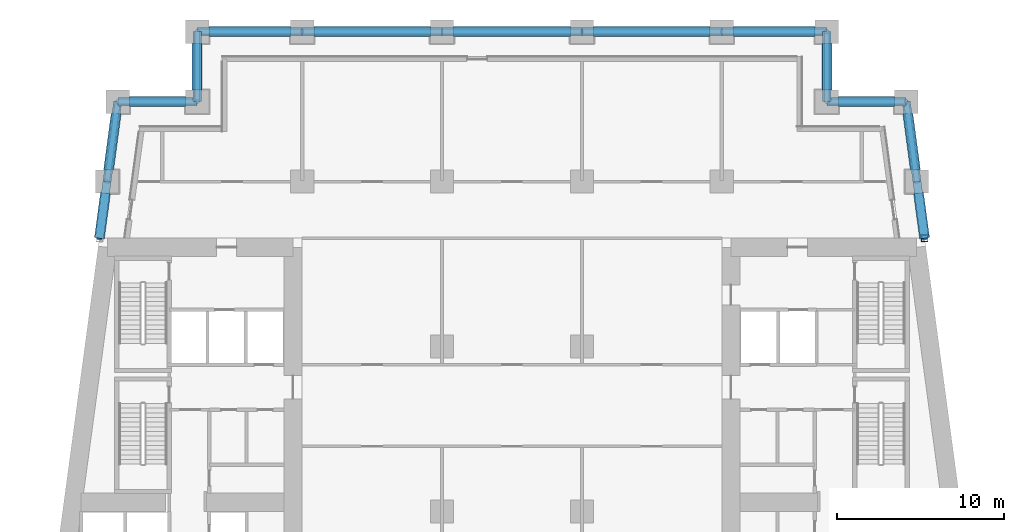
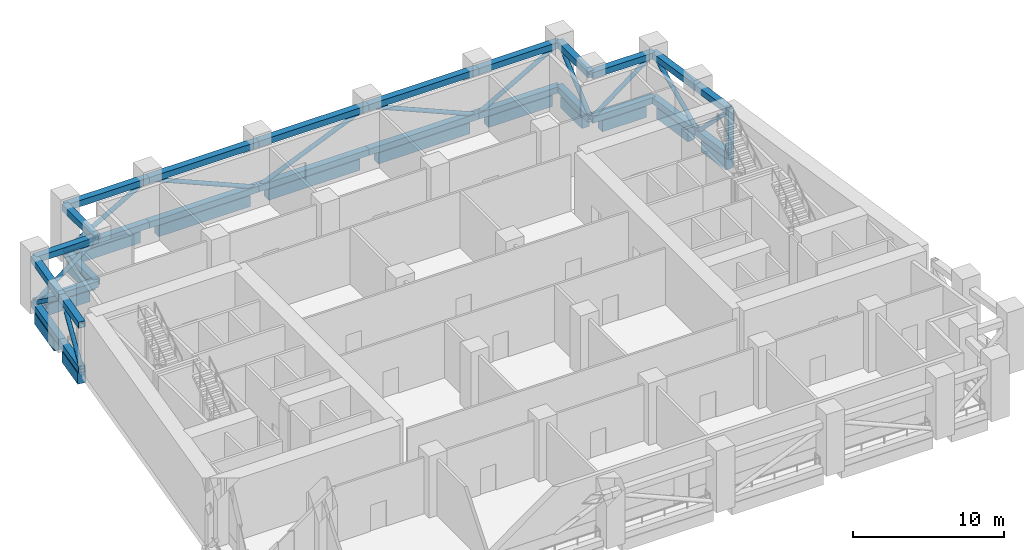
# One storey, part 3 of 12: 40 members, 13 beams.
"""IFC4 building model written with IfcOpenShell, lengths in metres."""

from ifc_helpers import new_model, si_unit, direction, frame, origin, origin_2d, place, context, subcontext, project, spatial, rectangle, hollow_rectangle, hollow_circle, extrude, material, material_profile, profile_set, type_object, element, save


model = new_model("IFC4")

# Units and contexts
model_context = context("Model", 3, precision=1e-05, world=origin(), true_north=direction((0.0, 1.0)))
body_context = subcontext(model_context, "Body", "Model", "MODEL_VIEW")
ifc_project = project(units=[si_unit("LENGTHUNIT", "METRE"), si_unit("AREAUNIT", "SQUARE_METRE"), si_unit("VOLUMEUNIT", "CUBIC_METRE"), si_unit("PLANEANGLEUNIT", "RADIAN"), si_unit("MASSUNIT", "GRAM", prefix="KILO")], contexts=[model_context])

# Site, building, storey
site_placement = place(None, origin())
site = spatial("IfcSite", under=ifc_project, at=site_placement, CompositionType="ELEMENT")
building_placement = place(site_placement, origin())
building = spatial("IfcBuilding", under=site, at=building_placement, Name="Candeia Pilgrim Tower and Theatre", CompositionType="ELEMENT")
storey_placement = place(building_placement, frame((0.0, 0.0, 81.0)))
storey = spatial("IfcBuildingStorey", under=building, at=storey_placement, Name="L18", CompositionType="ELEMENT", Elevation=81.0)

# Members
ifc_material_1 = material(Name="Structural steel ASTM A572 Grade 50", Category="steel")
ifc_material_profile_1 = material_profile(ifc_material_1, hollow_rectangle(XDim=0.39990234375, YDim=0.39990234375, WallThickness=0.02490234375, at=origin_2d()))
ifc_profile_set_1 = profile_set([ifc_material_profile_1], Name="Structural steel ASTM A572 Grade 50")
member_type_1 = type_object("IfcMemberType", Name="BOX 400x400x25 post", PredefinedType="POST", material=ifc_profile_set_1)
member_1_placement = place(storey_placement, frame((138.169189453125, 132.39990234375, 0.0), z_axis=(0.0, 0.0, 1.0), x_axis=(1.0, 0.0, 0.0)))
element("IfcMember", 1, at=member_1_placement, inside=storey, type_object=member_type_1, Name="Belt truss post TBL18", PredefinedType="POST", context=body_context, shape_type="SweptSolid", body=[
    extrude(hollow_rectangle(XDim=0.39990234375, YDim=0.39990234375, WallThickness=0.02490234375, at=origin_2d()), origin(), (0.0, 0.0, 1.0), 4.10009765625),
])
ifc_material_profile_2 = material_profile(ifc_material_1, hollow_rectangle(XDim=0.5, YDim=0.5, WallThickness=0.031982421875, at=origin_2d()))
ifc_profile_set_2 = profile_set([ifc_material_profile_2], Name="Structural steel ASTM A572 Grade 50")
member_type_2 = type_object("IfcMemberType", Name="BOX 500x500x32 chord", PredefinedType="CHORD", material=ifc_profile_set_2)
for number, where, z_axis, x_axis, name in (
    (2, (138.169189453125, 132.39990234375, 0.25), (-0.133426797477, 0.991058671177, 0.0), (-0.991058671177, -0.133426797477, 0.0), "Belt truss bottom chord TBL18"),
    (3, (138.169189453125, 132.39990234375, 3.85009765625), (-0.133426797477, 0.991058671177, 0.0), (-0.991058671177, -0.133426797477, 0.0), "Belt truss top chord TBL18"),
):
    element("IfcMember", number, at=place(storey_placement, frame(where, z_axis=z_axis, x_axis=x_axis)), inside=storey, type_object=member_type_2, Name=name, PredefinedType="CHORD", context=body_context, shape_type="SweptSolid", body=[
        extrude(hollow_rectangle(XDim=0.5, YDim=0.5, WallThickness=0.031982421875, at=origin_2d()), origin(), (0.0, 0.0, 1.0), 3.430908203125),
    ])
for number, where, z_axis, x_axis, name in (
    (4, (137.71142578125, 135.800048828125, 0.25), (-0.133378687709, 0.991065147034, 0.0), (-0.991065147034, -0.133378687709, 0.0), "Belt truss bottom chord TBL18"),
    (5, (137.71142578125, 135.800048828125, 3.85009765625), (-0.133378687709, 0.991065147034, 0.0), (-0.991065147034, -0.133378687709, 0.0), "Belt truss top chord TBL18"),
):
    element("IfcMember", number, at=place(storey_placement, frame(where, z_axis=z_axis, x_axis=x_axis)), inside=storey, type_object=member_type_2, Name=name, PredefinedType="CHORD", context=body_context, shape_type="SweptSolid", body=[
        extrude(hollow_rectangle(XDim=0.5, YDim=0.5, WallThickness=0.031982421875, at=origin_2d()), origin(), (0.0, 0.0, 1.0), 4.84326171875),
    ])
for number, where, z_axis, x_axis, name in (
    (6, (137.0654296875, 140.60009765625, 0.25), (-1.0, 0.0, 0.0), (0.0, -1.0, 0.0), "Belt truss bottom chord TBL18"),
    (7, (137.0654296875, 140.60009765625, 3.85009765625), (-1.0, 0.0, 0.0), (0.0, -1.0, 0.0), "Belt truss top chord TBL18"),
):
    element("IfcMember", number, at=place(storey_placement, frame(where, z_axis=z_axis, x_axis=x_axis)), inside=storey, type_object=member_type_2, Name=name, PredefinedType="CHORD", context=body_context, shape_type="SweptSolid", body=[
        extrude(hollow_rectangle(XDim=0.5, YDim=0.5, WallThickness=0.031982421875, at=origin_2d()), origin(), (0.0, 0.0, 1.0), 4.765380859375),
    ])
for number, where, z_axis, x_axis, name in (
    (8, (132.300048828125, 140.60009765625, 0.25), (0.0, 1.0, 0.0), (-1.0, 0.0, 0.0), "Belt truss bottom chord TBL18"),
    (9, (132.300048828125, 140.60009765625, 3.85009765625), (0.0, 1.0, 0.0), (-1.0, 0.0, 0.0), "Belt truss top chord TBL18"),
):
    element("IfcMember", number, at=place(storey_placement, frame(where, z_axis=z_axis, x_axis=x_axis)), inside=storey, type_object=member_type_2, Name=name, PredefinedType="CHORD", context=body_context, shape_type="SweptSolid", body=[
        extrude(hollow_rectangle(XDim=0.5, YDim=0.5, WallThickness=0.031982421875, at=origin_2d()), origin(), (0.0, 0.0, 1.0), 4.199951171875),
    ])
for number, where, z_axis, x_axis, name in (
    (10, (132.300048828125, 144.800048828125, 0.25), (-1.0, 0.0, 0.0), (0.0, -1.0, 0.0), "Belt truss bottom chord TBL18"),
    (11, (132.300048828125, 144.800048828125, 3.85009765625), (-1.0, 0.0, 0.0), (0.0, -1.0, 0.0), "Belt truss top chord TBL18"),
):
    element("IfcMember", number, at=place(storey_placement, frame(where, z_axis=z_axis, x_axis=x_axis)), inside=storey, type_object=member_type_2, Name=name, PredefinedType="CHORD", context=body_context, shape_type="SweptSolid", body=[
        extrude(hollow_rectangle(XDim=0.5, YDim=0.5, WallThickness=0.031982421875, at=origin_2d()), origin(), (0.0, 0.0, 1.0), 6.300048828125),
    ])
for number, where, z_axis, x_axis, name in (
    (12, (126.0, 144.800048828125, 0.25), (-1.0, 0.0, 0.0), (0.0, -1.0, 0.0), "Belt truss bottom chord TBL18"),
    (13, (126.0, 144.800048828125, 3.85009765625), (-1.0, 0.0, 0.0), (0.0, -1.0, 0.0), "Belt truss top chord TBL18"),
):
    element("IfcMember", number, at=place(storey_placement, frame(where, z_axis=z_axis, x_axis=x_axis)), inside=storey, type_object=member_type_2, Name=name, PredefinedType="CHORD", context=body_context, shape_type="SweptSolid", body=[
        extrude(hollow_rectangle(XDim=0.5, YDim=0.5, WallThickness=0.031982421875, at=origin_2d()), origin(), (0.0, 0.0, 1.0), 8.39990234375),
    ])
for number, where, z_axis, x_axis, name in (
    (14, (117.60009765625, 144.800048828125, 0.25), (-1.0, 0.0, 0.0), (0.0, -1.0, 0.0), "Belt truss bottom chord TBL18"),
    (15, (117.60009765625, 144.800048828125, 3.85009765625), (-1.0, 0.0, 0.0), (0.0, -1.0, 0.0), "Belt truss top chord TBL18"),
):
    element("IfcMember", number, at=place(storey_placement, frame(where, z_axis=z_axis, x_axis=x_axis)), inside=storey, type_object=member_type_2, Name=name, PredefinedType="CHORD", context=body_context, shape_type="SweptSolid", body=[
        extrude(hollow_rectangle(XDim=0.5, YDim=0.5, WallThickness=0.031982421875, at=origin_2d()), origin(), (0.0, 0.0, 1.0), 8.400146484375),
    ])
for number, where, z_axis, x_axis, name in (
    (16, (109.199951171875, 144.800048828125, 0.25), (-1.0, 0.0, 0.0), (0.0, -1.0, 0.0), "Belt truss bottom chord TBL18"),
    (17, (109.199951171875, 144.800048828125, 3.85009765625), (-1.0, 0.0, 0.0), (0.0, -1.0, 0.0), "Belt truss top chord TBL18"),
):
    element("IfcMember", number, at=place(storey_placement, frame(where, z_axis=z_axis, x_axis=x_axis)), inside=storey, type_object=member_type_2, Name=name, PredefinedType="CHORD", context=body_context, shape_type="SweptSolid", body=[
        extrude(hollow_rectangle(XDim=0.5, YDim=0.5, WallThickness=0.031982421875, at=origin_2d()), origin(), (0.0, 0.0, 1.0), 8.39990234375),
    ])
for number, where, z_axis, x_axis, name in (
    (18, (100.800048828125, 144.800048828125, 0.25), (-1.0, 0.0, 0.0), (0.0, -1.0, 0.0), "Belt truss bottom chord TBL18"),
    (19, (100.800048828125, 144.800048828125, 3.85009765625), (-1.0, 0.0, 0.0), (0.0, -1.0, 0.0), "Belt truss top chord TBL18"),
):
    element("IfcMember", number, at=place(storey_placement, frame(where, z_axis=z_axis, x_axis=x_axis)), inside=storey, type_object=member_type_2, Name=name, PredefinedType="CHORD", context=body_context, shape_type="SweptSolid", body=[
        extrude(hollow_rectangle(XDim=0.5, YDim=0.5, WallThickness=0.031982421875, at=origin_2d()), origin(), (0.0, 0.0, 1.0), 6.300048828125),
    ])
for number, where, z_axis, x_axis, name in (
    (20, (94.5, 144.800048828125, 0.25), (0.0, -1.0, 0.0), (1.0, 0.0, 0.0), "Belt truss bottom chord TBL18"),
    (21, (94.5, 144.800048828125, 3.85009765625), (0.0, -1.0, 0.0), (1.0, 0.0, 0.0), "Belt truss top chord TBL18"),
):
    element("IfcMember", number, at=place(storey_placement, frame(where, z_axis=z_axis, x_axis=x_axis)), inside=storey, type_object=member_type_2, Name=name, PredefinedType="CHORD", context=body_context, shape_type="SweptSolid", body=[
        extrude(hollow_rectangle(XDim=0.5, YDim=0.5, WallThickness=0.031982421875, at=origin_2d()), origin(), (0.0, 0.0, 1.0), 4.199951171875),
    ])
for number, where, z_axis, x_axis, name in (
    (22, (94.5, 140.60009765625, 0.25), (-1.0, 0.0, 0.0), (0.0, -1.0, 0.0), "Belt truss bottom chord TBL18"),
    (23, (94.5, 140.60009765625, 3.85009765625), (-1.0, 0.0, 0.0), (0.0, -1.0, 0.0), "Belt truss top chord TBL18"),
):
    element("IfcMember", number, at=place(storey_placement, frame(where, z_axis=z_axis, x_axis=x_axis)), inside=storey, type_object=member_type_2, Name=name, PredefinedType="CHORD", context=body_context, shape_type="SweptSolid", body=[
        extrude(hollow_rectangle(XDim=0.5, YDim=0.5, WallThickness=0.031982421875, at=origin_2d()), origin(), (0.0, 0.0, 1.0), 4.765380859375),
    ])
for number, where, z_axis, x_axis, name in (
    (24, (89.734619140625, 140.60009765625, 0.25), (-0.133428198131, -0.991058482605, 0.0), (0.991058482605, -0.133428198131, 0.0), "Belt truss bottom chord TBL18"),
    (25, (89.734619140625, 140.60009765625, 3.85009765625), (-0.133428198131, -0.991058482605, 0.0), (0.991058482605, -0.133428198131, 0.0), "Belt truss top chord TBL18"),
):
    element("IfcMember", number, at=place(storey_placement, frame(where, z_axis=z_axis, x_axis=x_axis)), inside=storey, type_object=member_type_2, Name=name, PredefinedType="CHORD", context=body_context, shape_type="SweptSolid", body=[
        extrude(hollow_rectangle(XDim=0.5, YDim=0.5, WallThickness=0.031982421875, at=origin_2d()), origin(), (0.0, 0.0, 1.0), 4.84326171875),
    ])
for number, where, z_axis, x_axis, name in (
    (26, (89.08837890625, 135.800048828125, 0.25), (-0.133356902381, -0.991068078685, 0.0), (0.991068078685, -0.133356902381, 0.0), "Belt truss bottom chord TBL18"),
    (27, (89.08837890625, 135.800048828125, 3.85009765625), (-0.133356902381, -0.991068078685, 0.0), (0.991068078685, -0.133356902381, 0.0), "Belt truss top chord TBL18"),
):
    element("IfcMember", number, at=place(storey_placement, frame(where, z_axis=z_axis, x_axis=x_axis)), inside=storey, type_object=member_type_2, Name=name, PredefinedType="CHORD", context=body_context, shape_type="SweptSolid", body=[
        extrude(hollow_rectangle(XDim=0.5, YDim=0.5, WallThickness=0.031982421875, at=origin_2d()), origin(), (0.0, 0.0, 1.0), 3.430908203125),
    ])
ifc_material_profile_3 = material_profile(ifc_material_1, hollow_circle(Radius=0.161865234375, WallThickness=0.012451171875, at=origin_2d()))
ifc_profile_set_3 = profile_set([ifc_material_profile_3], Name="Structural steel ASTM A572 Grade 50")
member_type_3 = type_object("IfcMemberType", Name="CHS 324x12.5 brace", PredefinedType="BRACE", material=ifc_profile_set_3)
member_2_placement = place(storey_placement, frame((137.71142578125, 135.800048828125, 0.25), z_axis=(0.092048839627, -0.683714234392, 0.723921167541), x_axis=(0.991058671177, 0.133426797477, 0.0)))
element("IfcMember", 28, at=member_2_placement, inside=storey, type_object=member_type_3, Name="Belt truss diagonal TBL18", PredefinedType="BRACE", context=body_context, shape_type="SweptSolid", body=[
    extrude(hollow_circle(Radius=0.161865234375, WallThickness=0.012451171875, at=origin_2d()), origin(), (0.0, 0.0, 1.0), 4.97314453125),
])
member_3_placement = place(storey_placement, frame((137.71142578125, 135.800048828125, 0.25), z_axis=(-0.107045636073, 0.795398431907, 0.596558937841), x_axis=(-0.991065147034, -0.133378687709, 0.0)))
element("IfcMember", 29, at=member_3_placement, inside=storey, type_object=member_type_3, Name="Belt truss diagonal TBL18", PredefinedType="BRACE", context=body_context, shape_type="SweptSolid", body=[
    extrude(hollow_circle(Radius=0.161865234375, WallThickness=0.012451171875, at=origin_2d()), origin(), (0.0, 0.0, 1.0), 6.03466796875),
])
member_4_placement = place(storey_placement, frame((132.300048828125, 140.60009765625, 0.25), z_axis=(0.797900528977, 0.0, 0.602789138803), x_axis=(0.0, 1.0, 0.0)))
element("IfcMember", 30, at=member_4_placement, inside=storey, type_object=member_type_3, Name="Belt truss diagonal TBL18", PredefinedType="BRACE", context=body_context, shape_type="SweptSolid", body=[
    extrude(hollow_circle(Radius=0.161865234375, WallThickness=0.012451171875, at=origin_2d()), origin(), (0.0, 0.0, 1.0), 5.972412109375),
])
member_5_placement = place(storey_placement, frame((132.300048828125, 140.60009765625, 0.25), z_axis=(0.0, 0.759244140748, 0.650805911728), x_axis=(-1.0, 0.0, 0.0)))
element("IfcMember", 31, at=member_5_placement, inside=storey, type_object=member_type_3, Name="Belt truss diagonal TBL18", PredefinedType="BRACE", context=body_context, shape_type="SweptSolid", body=[
    extrude(hollow_circle(Radius=0.161865234375, WallThickness=0.012451171875, at=origin_2d()), origin(), (0.0, 0.0, 1.0), 5.53173828125),
])
member_6_placement = place(storey_placement, frame((126.0, 144.800048828125, 0.25), z_axis=(0.868239001029, 0.0, 0.496146185203), x_axis=(0.0, 1.0, 0.0)))
element("IfcMember", 32, at=member_6_placement, inside=storey, type_object=member_type_3, Name="Belt truss diagonal TBL18", PredefinedType="BRACE", context=body_context, shape_type="SweptSolid", body=[
    extrude(hollow_circle(Radius=0.161865234375, WallThickness=0.012451171875, at=origin_2d()), origin(), (0.0, 0.0, 1.0), 7.256103515625),
])
member_7_placement = place(storey_placement, frame((126.0, 144.800048828125, 0.25), z_axis=(-0.919139502787, 0.0, 0.393932195201), x_axis=(0.0, -1.0, 0.0)))
element("IfcMember", 33, at=member_7_placement, inside=storey, type_object=member_type_3, Name="Belt truss diagonal TBL18", PredefinedType="BRACE", context=body_context, shape_type="SweptSolid", body=[
    extrude(hollow_circle(Radius=0.161865234375, WallThickness=0.012451171875, at=origin_2d()), origin(), (0.0, 0.0, 1.0), 9.138916015625),
])
member_8_placement = place(storey_placement, frame((109.199951171875, 144.800048828125, 0.25), z_axis=(0.919143648261, 0.0, 0.393922522663), x_axis=(0.0, 1.0, 0.0)))
element("IfcMember", 34, at=member_8_placement, inside=storey, type_object=member_type_3, Name="Belt truss diagonal TBL18", PredefinedType="BRACE", context=body_context, shape_type="SweptSolid", body=[
    extrude(hollow_circle(Radius=0.161865234375, WallThickness=0.012451171875, at=origin_2d()), origin(), (0.0, 0.0, 1.0), 9.13916015625),
])
member_9_placement = place(storey_placement, frame((109.199951171875, 144.800048828125, 0.25), z_axis=(-0.919139502787, 0.0, 0.393932195201), x_axis=(0.0, -1.0, 0.0)))
element("IfcMember", 35, at=member_9_placement, inside=storey, type_object=member_type_3, Name="Belt truss diagonal TBL18", PredefinedType="BRACE", context=body_context, shape_type="SweptSolid", body=[
    extrude(hollow_circle(Radius=0.161865234375, WallThickness=0.012451171875, at=origin_2d()), origin(), (0.0, 0.0, 1.0), 9.138916015625),
])
member_10_placement = place(storey_placement, frame((94.5, 144.800048828125, 0.25), z_axis=(0.868239001029, 0.0, 0.496146185203), x_axis=(0.0, 1.0, 0.0)))
element("IfcMember", 36, at=member_10_placement, inside=storey, type_object=member_type_3, Name="Belt truss diagonal TBL18", PredefinedType="BRACE", context=body_context, shape_type="SweptSolid", body=[
    extrude(hollow_circle(Radius=0.161865234375, WallThickness=0.012451171875, at=origin_2d()), origin(), (0.0, 0.0, 1.0), 7.256103515625),
])
member_11_placement = place(storey_placement, frame((94.5, 144.800048828125, 0.25), z_axis=(0.0, -0.759244140748, 0.650805911728), x_axis=(1.0, 0.0, 0.0)))
element("IfcMember", 37, at=member_11_placement, inside=storey, type_object=member_type_3, Name="Belt truss diagonal TBL18", PredefinedType="BRACE", context=body_context, shape_type="SweptSolid", body=[
    extrude(hollow_circle(Radius=0.161865234375, WallThickness=0.012451171875, at=origin_2d()), origin(), (0.0, 0.0, 1.0), 5.53173828125),
])
member_12_placement = place(storey_placement, frame((89.734619140625, 140.60009765625, 0.25), z_axis=(0.797900528977, 0.0, 0.602789138803), x_axis=(0.0, 1.0, 0.0)))
element("IfcMember", 38, at=member_12_placement, inside=storey, type_object=member_type_3, Name="Belt truss diagonal TBL18", PredefinedType="BRACE", context=body_context, shape_type="SweptSolid", body=[
    extrude(hollow_circle(Radius=0.161865234375, WallThickness=0.012451171875, at=origin_2d()), origin(), (0.0, 0.0, 1.0), 5.972412109375),
])
member_13_placement = place(storey_placement, frame((89.734619140625, 140.60009765625, 0.25), z_axis=(-0.107085627886, -0.795394986726, 0.596556353912), x_axis=(0.991058482605, -0.133428198131, 0.0)))
element("IfcMember", 39, at=member_13_placement, inside=storey, type_object=member_type_3, Name="Belt truss diagonal TBL18", PredefinedType="BRACE", context=body_context, shape_type="SweptSolid", body=[
    extrude(hollow_circle(Radius=0.161865234375, WallThickness=0.012451171875, at=origin_2d()), origin(), (0.0, 0.0, 1.0), 6.034912109375),
])
member_14_placement = place(storey_placement, frame((88.630859375, 132.39990234375, 0.25), z_axis=(0.092000162545, 0.683717323244, 0.723924438038), x_axis=(-0.991068078685, 0.133356902381, 0.0)))
element("IfcMember", 40, at=member_14_placement, inside=storey, type_object=member_type_3, Name="Belt truss diagonal TBL18", PredefinedType="BRACE", context=body_context, shape_type="SweptSolid", body=[
    extrude(hollow_circle(Radius=0.161865234375, WallThickness=0.012451171875, at=origin_2d()), origin(), (0.0, 0.0, 1.0), 4.97314453125),
])

# Beams
ifc_material_2 = material(Name="Concrete C80/95", Category="concrete")
ifc_material_profile_4 = material_profile(ifc_material_2, rectangle(XDim=0.60009765625, YDim=0.89990234375, at=origin_2d()))
ifc_profile_set_4 = profile_set([ifc_material_profile_4], Name="Concrete C80/95")
beam_type = type_object("IfcBeamType", Name="RC 600x900 C80/95", PredefinedType="BEAM", material=ifc_profile_set_4)
beam_1_placement = place(storey_placement, frame((138.169189453125, 132.39990234375, -0.449951171875), z_axis=(-0.133425552527, 0.991058838784, 0.0), x_axis=(-0.991058838784, -0.133425552527, 0.0)))
element("IfcBeam", 41, at=beam_1_placement, inside=storey, type_object=beam_type, Name="Spandrel beam L18-12", PredefinedType="BEAM", context=body_context, shape_type="SweptSolid", body=[
    extrude(rectangle(XDim=0.60009765625, YDim=0.89990234375, at=origin_2d()), origin(), (0.0, 0.0, 1.0), 2.724609375),
])
beam_2_placement = place(storey_placement, frame((137.6171875, 136.5, -0.449951171875), z_axis=(-0.13336630817, 0.991066813008, 0.0), x_axis=(-0.991066813008, -0.13336630817, 0.0)))
element("IfcBeam", 42, at=beam_2_placement, inside=storey, type_object=beam_type, Name="Spandrel beam L18-13", PredefinedType="BEAM", context=body_context, shape_type="SweptSolid", body=[
    extrude(rectangle(XDim=0.60009765625, YDim=0.89990234375, at=origin_2d()), origin(), (0.0, 0.0, 1.0), 3.4306640625),
])
beam_3_placement = place(storey_placement, frame((136.365478515625, 140.60009765625, -0.449951171875), z_axis=(-1.0, 0.0, 0.0), x_axis=(0.0, -1.0, 0.0)))
element("IfcBeam", 43, at=beam_3_placement, inside=storey, type_object=beam_type, Name="Spandrel beam L18-14", PredefinedType="BEAM", context=body_context, shape_type="SweptSolid", body=[
    extrude(rectangle(XDim=0.60009765625, YDim=0.89990234375, at=origin_2d()), origin(), (0.0, 0.0, 1.0), 3.365478515625),
])
beam_4_placement = place(storey_placement, frame((132.300048828125, 141.300048828125, -0.449951171875), z_axis=(0.0, 1.0, 0.0), x_axis=(-1.0, 0.0, 0.0)))
element("IfcBeam", 44, at=beam_4_placement, inside=storey, type_object=beam_type, Name="Spandrel beam L18-15", PredefinedType="BEAM", context=body_context, shape_type="SweptSolid", body=[
    extrude(rectangle(XDim=0.60009765625, YDim=0.89990234375, at=origin_2d()), origin(), (0.0, 0.0, 1.0), 2.800048828125),
])
beam_5_placement = place(storey_placement, frame((131.60009765625, 144.800048828125, -0.449951171875), z_axis=(-1.0, 0.0, 0.0), x_axis=(0.0, -1.0, 0.0)))
element("IfcBeam", 45, at=beam_5_placement, inside=storey, type_object=beam_type, Name="Spandrel beam L18-16", PredefinedType="BEAM", context=body_context, shape_type="SweptSolid", body=[
    extrude(rectangle(XDim=0.60009765625, YDim=0.89990234375, at=origin_2d()), origin(), (0.0, 0.0, 1.0), 4.900146484375),
])
for number, where, z_axis, x_axis, name in (
    (46, (125.300048828125, 144.800048828125, -0.449951171875), (-1.0, 0.0, 0.0), (0.0, -1.0, 0.0), "Spandrel beam L18-17"),
    (47, (116.89990234375, 144.800048828125, -0.449951171875), (-1.0, 0.0, 0.0), (0.0, -1.0, 0.0), "Spandrel beam L18-18"),
    (48, (108.5, 144.800048828125, -0.449951171875), (-1.0, 0.0, 0.0), (0.0, -1.0, 0.0), "Spandrel beam L18-19"),
):
    element("IfcBeam", number, at=place(storey_placement, frame(where, z_axis=z_axis, x_axis=x_axis)), inside=storey, type_object=beam_type, Name=name, PredefinedType="BEAM", context=body_context, shape_type="SweptSolid", body=[
        extrude(rectangle(XDim=0.60009765625, YDim=0.89990234375, at=origin_2d()), origin(), (0.0, 0.0, 1.0), 7.0),
    ])
beam_6_placement = place(storey_placement, frame((100.10009765625, 144.800048828125, -0.449951171875), z_axis=(-1.0, 0.0, 0.0), x_axis=(0.0, -1.0, 0.0)))
element("IfcBeam", 49, at=beam_6_placement, inside=storey, type_object=beam_type, Name="Spandrel beam L18-20", PredefinedType="BEAM", context=body_context, shape_type="SweptSolid", body=[
    extrude(rectangle(XDim=0.60009765625, YDim=0.89990234375, at=origin_2d()), origin(), (0.0, 0.0, 1.0), 4.900146484375),
])
beam_7_placement = place(storey_placement, frame((94.5, 144.10009765625, -0.449951171875), z_axis=(0.0, -1.0, 0.0), x_axis=(1.0, 0.0, 0.0)))
element("IfcBeam", 50, at=beam_7_placement, inside=storey, type_object=beam_type, Name="Spandrel beam L18-21", PredefinedType="BEAM", context=body_context, shape_type="SweptSolid", body=[
    extrude(rectangle(XDim=0.60009765625, YDim=0.89990234375, at=origin_2d()), origin(), (0.0, 0.0, 1.0), 2.800048828125),
])
beam_8_placement = place(storey_placement, frame((93.800048828125, 140.60009765625, -0.449951171875), z_axis=(-1.0, 0.0, 0.0), x_axis=(0.0, -1.0, 0.0)))
element("IfcBeam", 51, at=beam_8_placement, inside=storey, type_object=beam_type, Name="Spandrel beam L18-22", PredefinedType="BEAM", context=body_context, shape_type="SweptSolid", body=[
    extrude(rectangle(XDim=0.60009765625, YDim=0.89990234375, at=origin_2d()), origin(), (0.0, 0.0, 1.0), 3.365478515625),
])
beam_9_placement = place(storey_placement, frame((89.640380859375, 139.89990234375, -0.449951171875), z_axis=(-0.133436208017, -0.991057404185, 0.0), x_axis=(0.991057404185, -0.133436208017, 0.0)))
element("IfcBeam", 52, at=beam_9_placement, inside=storey, type_object=beam_type, Name="Spandrel beam L18-23", PredefinedType="BEAM", context=body_context, shape_type="SweptSolid", body=[
    extrude(rectangle(XDim=0.60009765625, YDim=0.89990234375, at=origin_2d()), origin(), (0.0, 0.0, 1.0), 3.4306640625),
])
beam_10_placement = place(storey_placement, frame((88.994140625, 135.10009765625, -0.449951171875), z_axis=(-0.133337538686, -0.991070684047, 0.0), x_axis=(0.991070684047, -0.133337538686, 0.0)))
element("IfcBeam", 53, at=beam_10_placement, inside=storey, type_object=beam_type, Name="Spandrel beam L18-24", PredefinedType="BEAM", context=body_context, shape_type="SweptSolid", body=[
    extrude(rectangle(XDim=0.60009765625, YDim=0.89990234375, at=origin_2d()), origin(), (0.0, 0.0, 1.0), 2.724609375),
])

save(model, "model.ifc")
